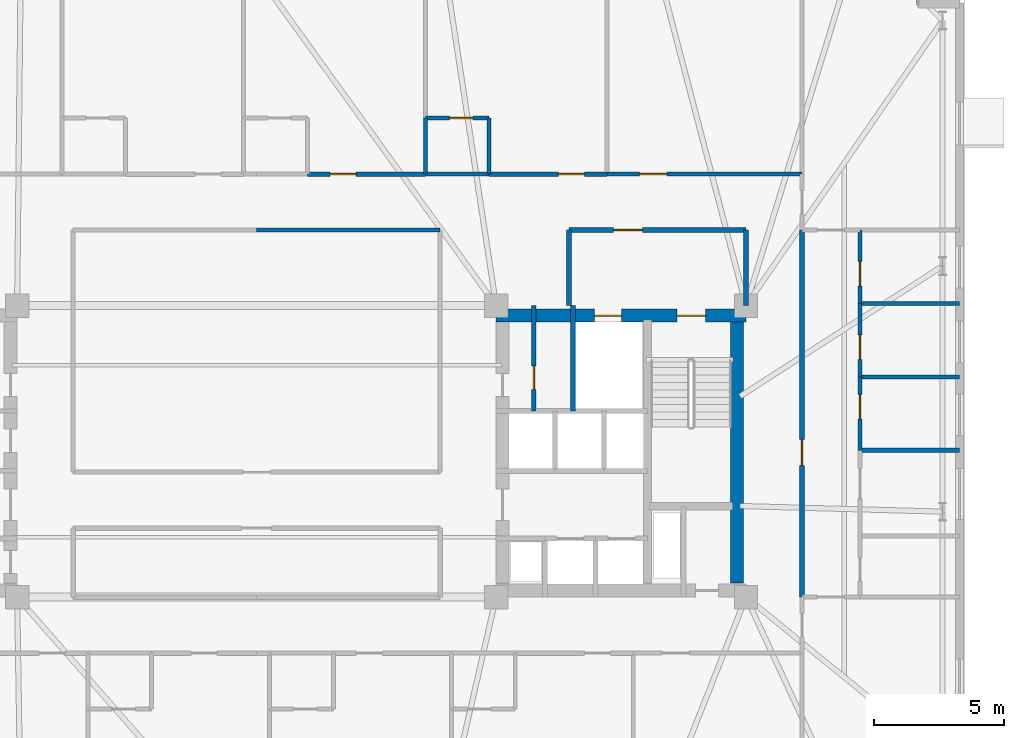
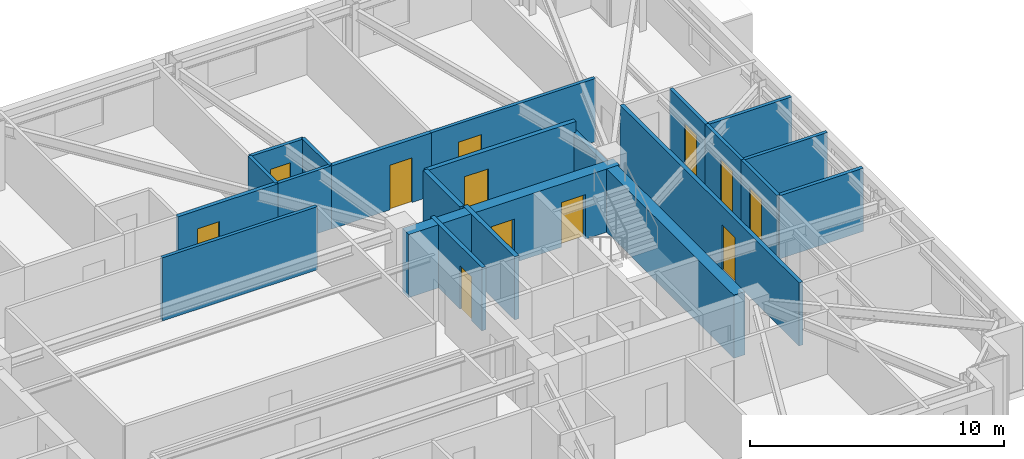
# One storey, part 14 of 17: 22 walls, 12 doors, 12 openings.
"""IFC4 building model written with IfcOpenShell, lengths in metres."""

from ifc_helpers import new_model, si_unit, direction, frame, frame_2d, origin, place, context, subcontext, project, spatial, rectangle, extrude, material, layer, layer_set, type_object, element, fill, save


model = new_model("IFC4")

# Units and contexts
model_context = context("Model", 3, precision=1e-05, world=origin(), true_north=direction((0.0, 1.0)))
body_context = subcontext(model_context, "Body", "Model", "MODEL_VIEW")
ifc_project = project(units=[si_unit("LENGTHUNIT", "METRE"), si_unit("AREAUNIT", "SQUARE_METRE"), si_unit("VOLUMEUNIT", "CUBIC_METRE"), si_unit("PLANEANGLEUNIT", "RADIAN"), si_unit("MASSUNIT", "GRAM", prefix="KILO")], contexts=[model_context])

# Site, building, storey
site_placement = place(None, origin())
site = spatial("IfcSite", under=ifc_project, at=site_placement, CompositionType="ELEMENT")
building_placement = place(site_placement, origin())
building = spatial("IfcBuilding", under=site, at=building_placement, Name="Qobustan Lattice House", CompositionType="ELEMENT")
storey_placement = place(building_placement, frame((0.0, 0.0, 161.14990234375)))
storey = spatial("IfcBuildingStorey", under=building, at=storey_placement, Name="L45", CompositionType="ELEMENT", Elevation=161.14990234375)

# Wall, openings, doors
ifc_material_1 = material(Name="Concrete C50/60", Category="concrete")
ifc_layer_1 = layer(ifc_material_1, 0.5)
ifc_layer_set_1 = layer_set([ifc_layer_1], Name="Concrete C50/60")
wall_type_1 = type_object("IfcWallType", Name="WAL-CORE-500", PredefinedType="SHEAR", material=ifc_layer_set_1)
wall_1_placement = place(storey_placement, frame((9.199951171875, 5.2099609375, 0.0), z_axis=(0.0, 0.0, 1.0), x_axis=(1.0, 0.0, 0.0)))
wall_1 = element("IfcWall", 1, at=wall_1_placement, inside=storey, type_object=wall_type_1, Name="L45 split-core shear wall CE-N", PredefinedType="SHEAR", context=body_context, shape_type="SweptSolid", body=[
    extrude(rectangle(XDim=9.60009765625, YDim=0.5, at=frame_2d((4.800048828125, 0.0))), origin(), (0.0, 0.0, 1.0), 3.0400390625),
])
opening_1_placement = place(wall_1_placement, frame((6.949951171875, 0.0, 0.0)))
opening_1 = element("IfcOpeningElement", 2, at=opening_1_placement, cuts=wall_1, Name="Opening SD-01", PredefinedType="OPENING", context=body_context, shape_type="SweptSolid", body=[
    extrude(rectangle(XDim=1.10009765625, YDim=2.14990234375, at=frame_2d((0.550048828125, 1.074951171875))), frame((0.0, 0.260009765625, 0.0), z_axis=(0.0, -1.0, 0.0), x_axis=(1.0, 0.0, 0.0)), (0.0, 0.0, 1.0), 0.52001953125),
])
opening_2_placement = place(wall_1_placement, frame((3.77490234375, 0.0, 0.0)))
opening_2 = element("IfcOpeningElement", 3, at=opening_2_placement, cuts=wall_1, Name="Opening LD-01", PredefinedType="OPENING", context=body_context, shape_type="SweptSolid", body=[
    extrude(rectangle(XDim=1.050048828125, YDim=2.10009765625, at=frame_2d((0.52490234375, 1.050048828125))), frame((0.0, 0.260009765625, 0.0), z_axis=(0.0, -1.0, 0.0), x_axis=(1.0, 0.0, 0.0)), (0.0, 0.0, 1.0), 0.52001953125),
])
ifc_material_2 = material(Name="Persian walnut timber and steel frame door", Category="steel")
door_type_1 = type_object("IfcDoorType", Name="DOR-LIFT-LD-1050x2100", OperationType="NOTDEFINED", PredefinedType="DOOR", material=ifc_material_2)
door_1_placement = place(opening_2_placement, origin())
door_1 = element("IfcDoor", 4, at=door_1_placement, inside=storey, type_object=door_type_1, Name="L45 firefighting lift FF-E landing door", OperationType="DOUBLE_DOOR_SLIDING", OverallHeight=2.10009765625, OverallWidth=1.050048828125, PredefinedType="DOOR", context=body_context, shape_type="SweptSolid", body=[
    extrude(rectangle(XDim=1.050048828125, YDim=2.10009765625, at=frame_2d((0.52490234375, 1.050048828125))), frame((0.0, 0.02490234375, 0.0), z_axis=(0.0, -1.0, 0.0), x_axis=(1.0, 0.0, 0.0)), (0.0, 0.0, 1.0), 0.050048828125),
])
fill(opening_2, door_1)
ifc_material_3 = material(Name="Persian walnut timber and steel frame door", Category="steel")
door_type_2 = type_object("IfcDoorType", Name="DOR-STAIR-FD-1100x2150", OperationType="NOTDEFINED", PredefinedType="DOOR", material=ifc_material_3)
door_2_placement = place(opening_1_placement, origin())
door_2 = element("IfcDoor", 5, at=door_2_placement, inside=storey, type_object=door_type_2, Name="L45 exit stair ST-E1 fire door", OperationType="SINGLE_SWING_LEFT", OverallHeight=2.14990234375, OverallWidth=1.10009765625, PredefinedType="DOOR", context=body_context, shape_type="SweptSolid", body=[
    extrude(rectangle(XDim=1.10009765625, YDim=2.14990234375, at=frame_2d((0.550048828125, 1.074951171875))), frame((0.0, 0.02490234375, 0.0), z_axis=(0.0, -1.0, 0.0), x_axis=(1.0, 0.0, 0.0)), (0.0, 0.0, 1.0), 0.050048828125),
])
fill(opening_1, door_2)

# Wall
wall_2_placement = place(storey_placement, frame((18.4599609375, -5.050048828125, 0.0), z_axis=(0.0, 0.0, 1.0), x_axis=(0.0, 1.0, 0.0)))
element("IfcWall", 6, at=wall_2_placement, inside=storey, type_object=wall_type_1, Name="L45 split-core shear wall CE-E", PredefinedType="SHEAR", context=body_context, shape_type="SweptSolid", body=[
    extrude(rectangle(XDim=10.10009765625, YDim=0.5, at=frame_2d((5.050048828125, 0.0))), origin(), (0.0, 0.0, 1.0), 3.0400390625),
])

# Wall, opening, door
ifc_material_4 = material(Name="Gypsum fireboard acoustic partition", Category="gypsum")
ifc_layer_2 = layer(ifc_material_4, 0.179931640625)
ifc_layer_set_2 = layer_set([ifc_layer_2], Name="Gypsum fireboard acoustic partition")
wall_type_2 = type_object("IfcWallType", Name="WAL-FIRE-180", PredefinedType="PARTITIONING", material=ifc_layer_set_2)
wall_3_placement = place(storey_placement, frame((10.64990234375, 1.550048828125, 0.0), z_axis=(0.0, 0.0, 1.0), x_axis=(0.0, 1.0, 0.0)))
wall_3 = element("IfcWall", 7, at=wall_3_placement, inside=storey, type_object=wall_type_2, Name="L45 interior partition 18", PredefinedType="PARTITIONING", context=body_context, shape_type="SweptSolid", body=[
    extrude(rectangle(XDim=4.050048828125, YDim=0.179931640625, at=frame_2d((2.02490234375, 0.0))), origin(), (0.0, 0.0, 1.0), 3.0400390625),
])
opening_3_placement = place(wall_3_placement, frame((0.828857421875, 0.0, 0.0)))
opening_3 = element("IfcOpeningElement", 8, at=opening_3_placement, cuts=wall_3, Name="Opening RD-01", PredefinedType="OPENING", context=body_context, shape_type="SweptSolid", body=[
    extrude(rectangle(XDim=0.89990234375, YDim=2.10009765625, at=frame_2d((0.449951171875, 1.050048828125))), frame((0.0, 0.099853515625, 0.0), z_axis=(0.0, -1.0, 0.0), x_axis=(1.0, 0.0, 0.0)), (0.0, 0.0, 1.0), 0.199951171875),
])
ifc_material_5 = material(Name="Persian walnut timber and steel frame door", Category="steel")
door_type_3 = type_object("IfcDoorType", Name="DOR-RISER-FD-900x2100", OperationType="NOTDEFINED", PredefinedType="DOOR", material=ifc_material_5)
door_3_placement = place(opening_3_placement, origin())
door_3 = element("IfcDoor", 9, at=door_3_placement, inside=storey, type_object=door_type_3, Name="L45 Print and mail closet to Core utility store door", OperationType="SINGLE_SWING_RIGHT", OverallHeight=2.10009765625, OverallWidth=0.89990234375, PredefinedType="DOOR", context=body_context, shape_type="SweptSolid", body=[
    extrude(rectangle(XDim=0.89990234375, YDim=2.10009765625, at=frame_2d((0.449951171875, 1.050048828125))), frame((0.0, 0.02490234375, 0.0), z_axis=(0.0, -1.0, 0.0), x_axis=(1.0, 0.0, 0.0)), (0.0, 0.0, 1.0), 0.050048828125),
])
fill(opening_3, door_3)

wall_4_placement = place(storey_placement, frame((1.949951171875, 10.64990234375, 0.0), z_axis=(0.0, 0.0, 1.0), x_axis=(1.0, 0.0, 0.0)))
wall_4 = element("IfcWall", 10, at=wall_4_placement, inside=storey, type_object=wall_type_2, Name="L45 interior partition 40", PredefinedType="PARTITIONING", context=body_context, shape_type="SweptSolid", body=[
    extrude(rectangle(XDim=4.532958984375, YDim=0.179931640625, at=frame_2d((2.2666015625, 0.0))), origin(), (0.0, 0.0, 1.0), 3.0400390625),
])
opening_4_placement = place(wall_4_placement, frame((0.876708984375, 0.0, 0.0)))
opening_4 = element("IfcOpeningElement", 11, at=opening_4_placement, cuts=wall_4, Name="Opening FD-02", PredefinedType="OPENING", context=body_context, shape_type="SweptSolid", body=[
    extrude(rectangle(XDim=1.0, YDim=2.14990234375, at=frame_2d((0.5, 1.074951171875))), frame((0.0, 0.099853515625, 0.0), z_axis=(0.0, -1.0, 0.0), x_axis=(1.0, 0.0, 0.0)), (0.0, 0.0, 1.0), 0.199951171875),
])
ifc_material_6 = material(Name="Persian walnut timber and steel frame door", Category="steel")
door_type_4 = type_object("IfcDoorType", Name="DOR-UNIT-FD-1000x2150", OperationType="NOTDEFINED", PredefinedType="DOOR", material=ifc_material_6)
door_4_placement = place(opening_4_placement, origin())
door_4 = element("IfcDoor", 12, at=door_4_placement, inside=storey, type_object=door_type_4, Name="L45 North-east floor corridor to Kitchenette and studio apartment L45-N4 door", OperationType="SINGLE_SWING_LEFT", OverallHeight=2.14990234375, OverallWidth=1.0, PredefinedType="DOOR", context=body_context, shape_type="SweptSolid", body=[
    extrude(rectangle(XDim=1.0, YDim=2.14990234375, at=frame_2d((0.5, 1.074951171875))), frame((0.0, 0.02490234375, 0.0), z_axis=(0.0, -1.0, 0.0), x_axis=(1.0, 0.0, 0.0)), (0.0, 0.0, 1.0), 0.050048828125),
])
fill(opening_4, door_4)

wall_5_placement = place(storey_placement, frame((8.93310546875, 10.64990234375, 0.0), z_axis=(0.0, 0.0, 1.0), x_axis=(1.0, 0.0, 0.0)))
wall_5 = element("IfcWall", 13, at=wall_5_placement, inside=storey, type_object=wall_type_2, Name="L45 interior partition 42", PredefinedType="PARTITIONING", context=body_context, shape_type="SweptSolid", body=[
    extrude(rectangle(XDim=4.533935546875, YDim=0.179931640625, at=frame_2d((2.26708984375, 0.0))), origin(), (0.0, 0.0, 1.0), 3.0400390625),
])
opening_5_placement = place(wall_5_placement, frame((2.6572265625, 0.0, 0.0)))
opening_5 = element("IfcOpeningElement", 14, at=opening_5_placement, cuts=wall_5, Name="Opening FD-02", PredefinedType="OPENING", context=body_context, shape_type="SweptSolid", body=[
    extrude(rectangle(XDim=1.0, YDim=2.14990234375, at=frame_2d((0.5, 1.074951171875))), frame((0.0, 0.099853515625, 0.0), z_axis=(0.0, -1.0, 0.0), x_axis=(1.0, 0.0, 0.0)), (0.0, 0.0, 1.0), 0.199951171875),
])
door_5_placement = place(opening_5_placement, origin())
door_5 = element("IfcDoor", 15, at=door_5_placement, inside=storey, type_object=door_type_4, Name="L45 North-east floor corridor to Kitchenette and studio apartment L45-N5 door", OperationType="SINGLE_SWING_RIGHT", OverallHeight=2.14990234375, OverallWidth=1.0, PredefinedType="DOOR", context=body_context, shape_type="SweptSolid", body=[
    extrude(rectangle(XDim=1.0, YDim=2.14990234375, at=frame_2d((0.5, 1.074951171875))), frame((0.0, 0.02490234375, 0.0), z_axis=(0.0, -1.0, 0.0), x_axis=(1.0, 0.0, 0.0)), (0.0, 0.0, 1.0), 0.050048828125),
])
fill(opening_5, door_5)

wall_6_placement = place(storey_placement, frame((20.949951171875, 8.5, 0.0), z_axis=(0.0, 0.0, 1.0), x_axis=(0.0, -1.0, 0.0)))
wall_6 = element("IfcWall", 16, at=wall_6_placement, inside=storey, type_object=wall_type_2, Name="L45 interior partition 64", PredefinedType="PARTITIONING", context=body_context, shape_type="SweptSolid", body=[
    extrude(rectangle(XDim=14.10009765625, YDim=0.179931640625, at=frame_2d((7.050048828125, 0.0))), origin(), (0.0, 0.0, 1.0), 3.0400390625),
])
opening_6_placement = place(wall_6_placement, frame((8.04248046875, 0.0, 0.0)))
opening_6 = element("IfcOpeningElement", 17, at=opening_6_placement, cuts=wall_6, Name="Opening FD-02", PredefinedType="OPENING", context=body_context, shape_type="SweptSolid", body=[
    extrude(rectangle(XDim=1.0, YDim=2.14990234375, at=frame_2d((0.5, 1.074951171875))), frame((0.0, 0.099853515625, 0.0), z_axis=(0.0, -1.0, 0.0), x_axis=(1.0, 0.0, 0.0)), (0.0, 0.0, 1.0), 0.199951171875),
])
door_6_placement = place(opening_6_placement, origin())
door_6 = element("IfcDoor", 18, at=door_6_placement, inside=storey, type_object=door_type_4, Name="L45 East wing spine gallery to Residence entrance hall L45E door", OperationType="SINGLE_SWING_LEFT", OverallHeight=2.14990234375, OverallWidth=1.0, PredefinedType="DOOR", context=body_context, shape_type="SweptSolid", body=[
    extrude(rectangle(XDim=1.0, YDim=2.14990234375, at=frame_2d((0.5, 1.074951171875))), frame((0.0, 0.02490234375, 0.0), z_axis=(0.0, -1.0, 0.0), x_axis=(1.0, 0.0, 0.0)), (0.0, 0.0, 1.0), 0.050048828125),
])
fill(opening_6, door_6)

ifc_material_7 = material(Name="Acoustic twin-stud gypsum partition", Category="gypsum")
ifc_layer_3 = layer(ifc_material_7, 0.14990234375)
ifc_layer_set_3 = layer_set([ifc_layer_3], Name="Acoustic twin-stud gypsum partition")
wall_type_3 = type_object("IfcWallType", Name="WAL-PART-150", PredefinedType="PARTITIONING", material=ifc_layer_set_3)
wall_7_placement = place(storey_placement, frame((13.467041015625, 10.64990234375, 0.0), z_axis=(0.0, 0.0, 1.0), x_axis=(1.0, 0.0, 0.0)))
wall_7 = element("IfcWall", 19, at=wall_7_placement, inside=storey, type_object=wall_type_3, Name="L45 interior partition 44", PredefinedType="PARTITIONING", context=body_context, shape_type="SweptSolid", body=[
    extrude(rectangle(XDim=7.48291015625, YDim=0.14990234375, at=frame_2d((3.741455078125, 0.0))), origin(), (0.0, 0.0, 1.0), 3.0400390625),
])
opening_7_placement = place(wall_7_placement, frame((1.239013671875, 0.0, 0.0)))
opening_7 = element("IfcOpeningElement", 20, at=opening_7_placement, cuts=wall_7, Name="Opening ID-02", PredefinedType="OPENING", context=body_context, shape_type="SweptSolid", body=[
    extrude(rectangle(XDim=1.050048828125, YDim=2.14990234375, at=frame_2d((0.52490234375, 1.074951171875))), frame((0.0, 0.0849609375, 0.0), z_axis=(0.0, -1.0, 0.0), x_axis=(1.0, 0.0, 0.0)), (0.0, 0.0, 1.0), 0.169921875),
])
ifc_material_8 = material(Name="Persian walnut timber and steel frame door", Category="steel")
door_type_5 = type_object("IfcDoorType", Name="DOR-STUDY-1050x2150", OperationType="NOTDEFINED", PredefinedType="DOOR", material=ifc_material_8)
door_7_placement = place(opening_7_placement, origin())
door_7 = element("IfcDoor", 21, at=door_7_placement, inside=storey, type_object=door_type_5, Name="L45 North-east floor corridor to Focus study room N6 door", OperationType="SINGLE_SWING_LEFT", OverallHeight=2.14990234375, OverallWidth=1.050048828125, PredefinedType="DOOR", context=body_context, shape_type="SweptSolid", body=[
    extrude(rectangle(XDim=1.050048828125, YDim=2.14990234375, at=frame_2d((0.52490234375, 1.074951171875))), frame((0.0, 0.02490234375, 0.0), z_axis=(0.0, -1.0, 0.0), x_axis=(1.0, 0.0, 0.0)), (0.0, 0.0, 1.0), 0.050048828125),
])
fill(opening_7, door_7)

# Wall
wall_8_placement = place(storey_placement, frame((7.050048828125, 8.5, 0.0), z_axis=(0.0, 0.0, 1.0), x_axis=(-1.0, 0.0, 0.0)))
element("IfcWall", 22, at=wall_8_placement, inside=storey, type_object=wall_type_3, Name="L45 interior partition 45", PredefinedType="PARTITIONING", context=body_context, shape_type="SweptSolid", body=[
    extrude(rectangle(XDim=7.050048828125, YDim=0.14990234375, at=frame_2d((3.52490234375, 0.0))), origin(), (0.0, 0.0, 1.0), 3.0400390625),
])

# Wall, opening, door
wall_9_placement = place(storey_placement, frame((23.179931640625, 2.860107421875, 0.0), z_axis=(0.0, 0.0, 1.0), x_axis=(0.0, -1.0, 0.0)))
wall_9 = element("IfcWall", 23, at=wall_9_placement, inside=storey, type_object=wall_type_3, Name="L45 interior partition 86", PredefinedType="PARTITIONING", context=body_context, shape_type="SweptSolid", body=[
    extrude(rectangle(XDim=2.820068359375, YDim=0.14990234375, at=frame_2d((1.41015625, 0.0))), origin(), (0.0, 0.0, 1.0), 3.0400390625),
])
opening_8_placement = place(wall_9_placement, frame((0.668701171875, 0.0, 0.0)))
opening_8 = element("IfcOpeningElement", 24, at=opening_8_placement, cuts=wall_9, Name="Opening ID-01", PredefinedType="OPENING", context=body_context, shape_type="SweptSolid", body=[
    extrude(rectangle(XDim=0.949951171875, YDim=2.10009765625, at=frame_2d((0.47509765625, 1.050048828125))), frame((0.0, 0.0849609375, 0.0), z_axis=(0.0, -1.0, 0.0), x_axis=(1.0, 0.0, 0.0)), (0.0, 0.0, 1.0), 0.169921875),
])
ifc_material_9 = material(Name="Persian walnut timber and steel frame door", Category="steel")
door_type_6 = type_object("IfcDoorType", Name="DOR-ROOM-950x2100", OperationType="NOTDEFINED", PredefinedType="DOOR", material=ifc_material_9)
door_8_placement = place(opening_8_placement, origin())
door_8 = element("IfcDoor", 25, at=door_8_placement, inside=storey, type_object=door_type_6, Name="L45 Residence entrance hall L45E to Cluster bedroom L45E1 door", OperationType="SINGLE_SWING_LEFT", OverallHeight=2.10009765625, OverallWidth=0.949951171875, PredefinedType="DOOR", context=body_context, shape_type="SweptSolid", body=[
    extrude(rectangle(XDim=0.949951171875, YDim=2.10009765625, at=frame_2d((0.47509765625, 1.050048828125))), frame((0.0, 0.02490234375, 0.0), z_axis=(0.0, -1.0, 0.0), x_axis=(1.0, 0.0, 0.0)), (0.0, 0.0, 1.0), 0.050048828125),
])
fill(opening_8, door_8)

wall_10_placement = place(storey_placement, frame((23.179931640625, 5.679931640625, 0.0), z_axis=(0.0, 0.0, 1.0), x_axis=(0.0, -1.0, 0.0)))
wall_10 = element("IfcWall", 26, at=wall_10_placement, inside=storey, type_object=wall_type_3, Name="L45 interior partition 87", PredefinedType="PARTITIONING", context=body_context, shape_type="SweptSolid", body=[
    extrude(rectangle(XDim=2.81982421875, YDim=0.14990234375, at=frame_2d((1.409912109375, 0.0))), origin(), (0.0, 0.0, 1.0), 3.0400390625),
])
opening_9_placement = place(wall_10_placement, frame((1.201171875, 0.0, 0.0)))
opening_9 = element("IfcOpeningElement", 27, at=opening_9_placement, cuts=wall_10, Name="Opening ID-01", PredefinedType="OPENING", context=body_context, shape_type="SweptSolid", body=[
    extrude(rectangle(XDim=0.949951171875, YDim=2.10009765625, at=frame_2d((0.47509765625, 1.050048828125))), frame((0.0, 0.0849609375, 0.0), z_axis=(0.0, -1.0, 0.0), x_axis=(1.0, 0.0, 0.0)), (0.0, 0.0, 1.0), 0.169921875),
])
door_9_placement = place(opening_9_placement, origin())
door_9 = element("IfcDoor", 28, at=door_9_placement, inside=storey, type_object=door_type_6, Name="L45 Residence entrance hall L45E to Cluster bedroom L45E2 door", OperationType="SINGLE_SWING_RIGHT", OverallHeight=2.10009765625, OverallWidth=0.949951171875, PredefinedType="DOOR", context=body_context, shape_type="SweptSolid", body=[
    extrude(rectangle(XDim=0.949951171875, YDim=2.10009765625, at=frame_2d((0.47509765625, 1.050048828125))), frame((0.0, 0.02490234375, 0.0), z_axis=(0.0, -1.0, 0.0), x_axis=(1.0, 0.0, 0.0)), (0.0, 0.0, 1.0), 0.050048828125),
])
fill(opening_9, door_9)

wall_11_placement = place(storey_placement, frame((23.179931640625, 8.5, 0.0), z_axis=(0.0, 0.0, 1.0), x_axis=(0.0, -1.0, 0.0)))
wall_11 = element("IfcWall", 29, at=wall_11_placement, inside=storey, type_object=wall_type_3, Name="L45 interior partition 88", PredefinedType="PARTITIONING", context=body_context, shape_type="SweptSolid", body=[
    extrude(rectangle(XDim=2.820068359375, YDim=0.14990234375, at=frame_2d((1.41015625, 0.0))), origin(), (0.0, 0.0, 1.0), 3.0400390625),
])
opening_10_placement = place(wall_11_placement, frame((1.201171875, 0.0, 0.0)))
opening_10 = element("IfcOpeningElement", 30, at=opening_10_placement, cuts=wall_11, Name="Opening ID-01", PredefinedType="OPENING", context=body_context, shape_type="SweptSolid", body=[
    extrude(rectangle(XDim=0.949951171875, YDim=2.10009765625, at=frame_2d((0.47509765625, 1.050048828125))), frame((0.0, 0.0849609375, 0.0), z_axis=(0.0, -1.0, 0.0), x_axis=(1.0, 0.0, 0.0)), (0.0, 0.0, 1.0), 0.169921875),
])
door_10_placement = place(opening_10_placement, origin())
door_10 = element("IfcDoor", 31, at=door_10_placement, inside=storey, type_object=door_type_6, Name="L45 Residence entrance hall L45E to Cluster bedroom L45E3 door", OperationType="SINGLE_SWING_LEFT", OverallHeight=2.10009765625, OverallWidth=0.949951171875, PredefinedType="DOOR", context=body_context, shape_type="SweptSolid", body=[
    extrude(rectangle(XDim=0.949951171875, YDim=2.10009765625, at=frame_2d((0.47509765625, 1.050048828125))), frame((0.0, 0.02490234375, 0.0), z_axis=(0.0, -1.0, 0.0), x_axis=(1.0, 0.0, 0.0)), (0.0, 0.0, 1.0), 0.050048828125),
])
fill(opening_10, door_10)

# Walls
for number, where, z_axis, x_axis, name in (
    (32, (23.179931640625, 2.860107421875, 0.0), (0.0, 0.0, 1.0), (1.0, 0.0, 0.0), "L45 interior partition 95"),
    (33, (23.179931640625, 5.679931640625, 0.0), (0.0, 0.0, 1.0), (1.0, 0.0, 0.0), "L45 interior partition 96"),
):
    element("IfcWall", number, at=place(storey_placement, frame(where, z_axis=z_axis, x_axis=x_axis)), inside=storey, type_object=wall_type_3, Name=name, PredefinedType="PARTITIONING", context=body_context, shape_type="SweptSolid", body=[
        extrude(rectangle(XDim=3.820068359375, YDim=0.14990234375, at=frame_2d((1.91015625, 0.0))), origin(), (0.0, 0.0, 1.0), 3.0400390625),
    ])
ifc_material_10 = material(Name="High-mass acoustic twin-stud partition", Category="gypsum")
ifc_layer_4 = layer(ifc_material_10, 0.1650390625)
ifc_layer_set_4 = layer_set([ifc_layer_4], Name="High-mass acoustic twin-stud partition")
wall_type_4 = type_object("IfcWallType", Name="WAL-PART-165", PredefinedType="PARTITIONING", material=ifc_layer_set_4)
wall_12_placement = place(storey_placement, frame((23.179931640625, 0.0400390625, 0.0), z_axis=(0.0, 0.0, 1.0), x_axis=(1.0, 0.0, 0.0)))
element("IfcWall", 34, at=wall_12_placement, inside=storey, type_object=wall_type_4, Name="L45 interior partition 94", PredefinedType="PARTITIONING", context=body_context, shape_type="SweptSolid", body=[
    extrude(rectangle(XDim=3.820068359375, YDim=0.1650390625, at=frame_2d((1.91015625, 0.0))), origin(), (0.0, 0.0, 1.0), 3.0400390625),
])

# Wall, opening, door
ifc_material_11 = material(Name="Two-hour gypsum fireboard acoustic partition", Category="gypsum")
ifc_layer_5 = layer(ifc_material_11, 0.199951171875)
ifc_layer_set_5 = layer_set([ifc_layer_5], Name="Two-hour gypsum fireboard acoustic partition")
wall_type_5 = type_object("IfcWallType", Name="WAL-PROT-200", PredefinedType="PARTITIONING", material=ifc_layer_set_5)
wall_13_placement = place(storey_placement, frame((18.800048828125, 8.5, 0.0), z_axis=(0.0, 0.0, 1.0), x_axis=(-1.0, 0.0, 0.0)))
wall_13 = element("IfcWall", 35, at=wall_13_placement, inside=storey, type_object=wall_type_5, Name="L45 interior partition 15", PredefinedType="PARTITIONING", context=body_context, shape_type="SweptSolid", body=[
    extrude(rectangle(XDim=6.800048828125, YDim=0.199951171875, at=frame_2d((3.39990234375, 0.0))), origin(), (0.0, 0.0, 1.0), 3.0400390625),
])
opening_11_placement = place(wall_13_placement, frame((3.985107421875, 0.0, 0.0)))
opening_11 = element("IfcOpeningElement", 36, at=opening_11_placement, cuts=wall_13, Name="Opening SD-01", PredefinedType="OPENING", context=body_context, shape_type="SweptSolid", body=[
    extrude(rectangle(XDim=1.10009765625, YDim=2.14990234375, at=frame_2d((0.550048828125, 1.074951171875))), frame((0.0, 0.10986328125, 0.0), z_axis=(0.0, -1.0, 0.0), x_axis=(1.0, 0.0, 0.0)), (0.0, 0.0, 1.0), 0.219970703125),
])
door_11_placement = place(opening_11_placement, origin())
door_11 = element("IfcDoor", 37, at=door_11_placement, inside=storey, type_object=door_type_2, Name="L45 East firefighting lift lobby to North-east floor corridor door", OperationType="SINGLE_SWING_LEFT", OverallHeight=2.14990234375, OverallWidth=1.10009765625, PredefinedType="DOOR", context=body_context, shape_type="SweptSolid", body=[
    extrude(rectangle(XDim=1.10009765625, YDim=2.14990234375, at=frame_2d((0.550048828125, 1.074951171875))), frame((0.0, 0.02490234375, 0.0), z_axis=(0.0, -1.0, 0.0), x_axis=(1.0, 0.0, 0.0)), (0.0, 0.0, 1.0), 0.050048828125),
])
fill(opening_11, door_11)

# Walls
wall_14_placement = place(storey_placement, frame((18.800048828125, 5.60009765625, 0.0), z_axis=(0.0, 0.0, 1.0), x_axis=(0.0, 1.0, 0.0)))
element("IfcWall", 38, at=wall_14_placement, inside=storey, type_object=wall_type_5, Name="L45 interior partition 16", PredefinedType="PARTITIONING", context=body_context, shape_type="SweptSolid", body=[
    extrude(rectangle(XDim=2.89990234375, YDim=0.199951171875, at=frame_2d((1.449951171875, 0.0))), origin(), (0.0, 0.0, 1.0), 2.525146484375),
])
wall_15_placement = place(storey_placement, frame((12.0, 8.5, 0.0), z_axis=(0.0, 0.0, 1.0), x_axis=(0.0, -1.0, 0.0)))
element("IfcWall", 39, at=wall_15_placement, inside=storey, type_object=wall_type_5, Name="L45 interior partition 17", PredefinedType="PARTITIONING", context=body_context, shape_type="SweptSolid", body=[
    extrude(rectangle(XDim=2.89990234375, YDim=0.199951171875, at=frame_2d((1.449951171875, 0.0))), origin(), (0.0, 0.0, 1.0), 3.0400390625),
])
ifc_material_12 = material(Name="Concrete C40/50", Category="concrete")
ifc_layer_6 = layer(ifc_material_12, 0.199951171875)
ifc_layer_set_6 = layer_set([ifc_layer_6], Name="Concrete C40/50")
wall_type_6 = type_object("IfcWallType", Name="WAL-SHAFT-200", PredefinedType="PARTITIONING", material=ifc_layer_set_6)
wall_16_placement = place(storey_placement, frame((12.14990234375, 5.60009765625, 0.0), z_axis=(0.0, 0.0, 1.0), x_axis=(0.0, -1.0, 0.0)))
element("IfcWall", 40, at=wall_16_placement, inside=storey, type_object=wall_type_6, Name="L45 interior partition 14", PredefinedType="PARTITIONING", context=body_context, shape_type="SweptSolid", body=[
    extrude(rectangle(XDim=4.050048828125, YDim=0.199951171875, at=frame_2d((2.02490234375, 0.0))), origin(), (0.0, 0.0, 1.0), 3.0400390625),
])
ifc_material_13 = material(Name="Moisture-resistant acoustic plumbing wall", Category="gypsum")
ifc_layer_7 = layer(ifc_material_13, 0.14990234375)
ifc_layer_set_7 = layer_set([ifc_layer_7], Name="Moisture-resistant acoustic plumbing wall")
wall_type_7 = type_object("IfcWallType", Name="WAL-WET-150", PredefinedType="PLUMBINGWALL", material=ifc_layer_set_7)
wall_17_placement = place(storey_placement, frame((6.48291015625, 10.64990234375, 0.0), z_axis=(0.0, 0.0, 1.0), x_axis=(1.0, 0.0, 0.0)))
element("IfcWall", 41, at=wall_17_placement, inside=storey, type_object=wall_type_7, Name="L45 interior partition 43", PredefinedType="PLUMBINGWALL", context=body_context, shape_type="SweptSolid", body=[
    extrude(rectangle(XDim=2.4501953125, YDim=0.14990234375, at=frame_2d((1.22509765625, 0.0))), origin(), (0.0, 0.0, 1.0), 3.0400390625),
])
wall_18_placement = place(storey_placement, frame((6.48291015625, 12.800048828125, 0.0), z_axis=(0.0, 0.0, 1.0), x_axis=(0.0, -1.0, 0.0)))
element("IfcWall", 42, at=wall_18_placement, inside=storey, type_object=wall_type_7, Name="L45 interior partition 108", PredefinedType="PLUMBINGWALL", context=body_context, shape_type="SweptSolid", body=[
    extrude(rectangle(XDim=2.150146484375, YDim=0.14990234375, at=frame_2d((1.0751953125, 0.0))), origin(), (0.0, 0.0, 1.0), 3.0400390625),
])

# Wall, opening, door
wall_19_placement = place(storey_placement, frame((8.93310546875, 12.800048828125, 0.0), z_axis=(0.0, 0.0, 1.0), x_axis=(-1.0, 0.0, 0.0)))
wall_19 = element("IfcWall", 43, at=wall_19_placement, inside=storey, type_object=wall_type_7, Name="L45 interior partition 109", PredefinedType="PLUMBINGWALL", context=body_context, shape_type="SweptSolid", body=[
    extrude(rectangle(XDim=2.4501953125, YDim=0.14990234375, at=frame_2d((1.22509765625, 0.0))), origin(), (0.0, 0.0, 1.0), 3.0400390625),
])
opening_12_placement = place(wall_19_placement, frame((0.62890625, 0.0, 0.0)))
opening_12 = element("IfcOpeningElement", 44, at=opening_12_placement, cuts=wall_19, Name="Opening WD-01", PredefinedType="OPENING", context=body_context, shape_type="SweptSolid", body=[
    extrude(rectangle(XDim=0.89990234375, YDim=2.10009765625, at=frame_2d((0.449951171875, 1.050048828125))), frame((0.0, 0.0849609375, 0.0), z_axis=(0.0, -1.0, 0.0), x_axis=(1.0, 0.0, 0.0)), (0.0, 0.0, 1.0), 0.169921875),
])
ifc_material_14 = material(Name="Persian walnut timber and steel frame door", Category="steel")
door_type_7 = type_object("IfcDoorType", Name="DOR-WET-900x2100", OperationType="NOTDEFINED", PredefinedType="DOOR", material=ifc_material_14)
door_12_placement = place(opening_12_placement, origin())
door_12 = element("IfcDoor", 45, at=door_12_placement, inside=storey, type_object=door_type_7, Name="L45 Kitchenette and studio apartment L45-N5 to En-suite bathroom L45-N5 door", OperationType="SINGLE_SWING_RIGHT", OverallHeight=2.10009765625, OverallWidth=0.89990234375, PredefinedType="DOOR", context=body_context, shape_type="SweptSolid", body=[
    extrude(rectangle(XDim=0.89990234375, YDim=2.10009765625, at=frame_2d((0.449951171875, 1.050048828125))), frame((0.0, 0.02490234375, 0.0), z_axis=(0.0, -1.0, 0.0), x_axis=(1.0, 0.0, 0.0)), (0.0, 0.0, 1.0), 0.050048828125),
])
fill(opening_12, door_12)

# Wall
wall_20_placement = place(storey_placement, frame((8.93310546875, 10.64990234375, 0.0), z_axis=(0.0, 0.0, 1.0), x_axis=(0.0, 1.0, 0.0)))
element("IfcWall", 46, at=wall_20_placement, inside=storey, type_object=wall_type_7, Name="L45 interior partition 110", PredefinedType="PLUMBINGWALL", context=body_context, shape_type="SweptSolid", body=[
    extrude(rectangle(XDim=2.150146484375, YDim=0.14990234375, at=frame_2d((1.0751953125, 0.0))), origin(), (0.0, 0.0, 1.0), 3.0400390625),
])

save(model, "model.ifc")
